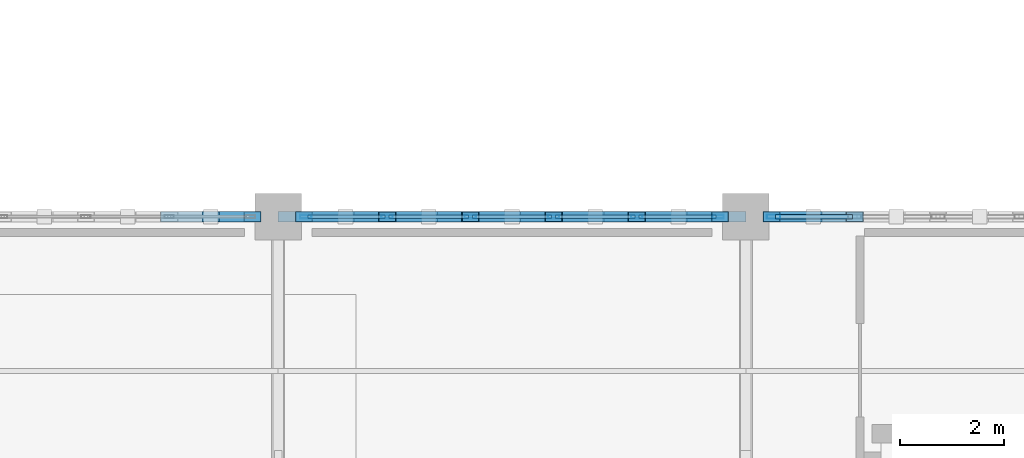
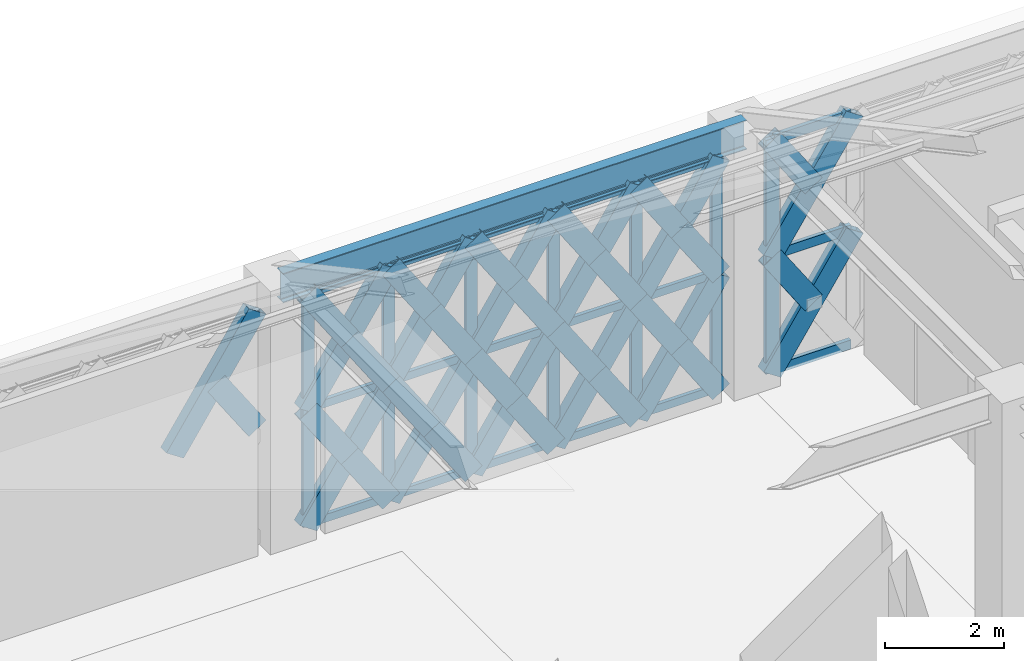
# One storey, part 61 of 166: 61 members, 1 beam, 2 elements without a shape of their own.
"""IFC4 building model written with IfcOpenShell, lengths in metres."""

from ifc_helpers import new_model, si_unit, direction, frame, origin, origin_2d, place, context, subcontext, project, spatial, hollow_rectangle, i_section, extrude, material, material_profile, profile_set, type_object, element, aggregate, save


model = new_model("IFC4")

# Units and contexts
model_context = context("Model", 3, precision=1e-05, world=origin(), true_north=direction((0.0, 1.0)))
body_context = subcontext(model_context, "Body", "Model", "MODEL_VIEW")
ifc_project = project(units=[si_unit("LENGTHUNIT", "METRE"), si_unit("AREAUNIT", "SQUARE_METRE"), si_unit("VOLUMEUNIT", "CUBIC_METRE"), si_unit("PLANEANGLEUNIT", "RADIAN"), si_unit("MASSUNIT", "GRAM", prefix="KILO")], contexts=[model_context])

# Site, building, storey
site_placement = place(None, origin())
site = spatial("IfcSite", under=ifc_project, at=site_placement, CompositionType="ELEMENT")
building_placement = place(site_placement, origin())
building = spatial("IfcBuilding", under=site, at=building_placement, Name="Haizhuo Lancet Aquarium", CompositionType="ELEMENT")
storey_placement = place(building_placement, frame((0.0, 0.0, 5.39990234375)))
storey = spatial("IfcBuildingStorey", under=building, at=storey_placement, Name="L01", CompositionType="ELEMENT", Elevation=5.39990234375)

# Beam
ifc_material_1 = material(Name="Steel S355", Category="steel")
ifc_material_profile_1 = material_profile(ifc_material_1, i_section(OverallWidth=0.199951171875, OverallDepth=0.60009765625, WebThickness=0.010986328125, FlangeThickness=0.01708984375, FilletRadius=0.02197265625, at=origin_2d()), Name="HN 600x200x11x17")
ifc_profile_set_1 = profile_set([ifc_material_profile_1], Name="Steel S355")
beam_type = type_object("IfcBeamType", Name="BM-ST-HN600", PredefinedType="BEAM", material=ifc_profile_set_1)
beam_placement = place(storey_placement, frame((-63.0, 27.0, 5.10009765625), z_axis=(1.0, 0.0, 0.0), x_axis=(0.0, 1.0, 0.0)))
element("IfcBeam", 1, at=beam_placement, inside=storey, type_object=beam_type, Name="L01 V2 primary girder BM-L01-V2-013", PredefinedType="BEAM", context=body_context, shape_type="SweptSolid", body=[
    extrude(i_section(OverallWidth=0.199951171875, OverallDepth=0.60009765625, WebThickness=0.010986328125, FlangeThickness=0.01708984375, FilletRadius=0.02197265625, at=origin_2d()), origin(), (0.0, 0.0, 1.0), 9.0),
])

# Curtain wall, members
ifc_material_2 = material(Name="Aluminium 6063-T6", Category="aluminium")
curtain_wall_type = type_object("IfcCurtainWallType", Name="CWD-8010x4800", PredefinedType="NOTDEFINED", material=ifc_material_2)
curtain_wall_1_placement = place(storey_placement, origin())
curtain_wall_1 = element("IfcCurtainWall", 2, at=curtain_wall_1_placement, inside=storey, type_object=curtain_wall_type, Name="L01 curtain wall CW-V2-L01-023", PredefinedType="NOTDEFINED")
ifc_material_profile_2 = material_profile(ifc_material_2, hollow_rectangle(XDim=0.074951171875, YDim=0.219970703125, WallThickness=0.0048828125, at=origin_2d()), Name="ALU-M 75x220x5")
ifc_profile_set_2 = profile_set([ifc_material_profile_2], Name="Aluminium 6063-T6")
member_type_1 = type_object("IfcMemberType", Name="CW-MUL-2", PredefinedType="MULLION", material=ifc_profile_set_2)
member_1_placement = place(storey_placement, frame((-62.468017578125, 27.0, 0.0), z_axis=(0.0, 0.0, 1.0), x_axis=(0.0, 1.0, 0.0)))
member_1 = element("IfcMember", 3, at=member_1_placement, type_object=member_type_1, Name="CWD-80x48 mullion 1", PredefinedType="MULLION", context=body_context, shape_type="SweptSolid", body=[
    extrude(hollow_rectangle(XDim=0.074951171875, YDim=0.219970703125, WallThickness=0.0048828125, at=origin_2d()), origin(), (0.0, 0.0, 1.0), 4.800048828125),
])
member_2_placement = place(storey_placement, frame((-60.903076171875, 27.0, 0.0), z_axis=(0.0, 0.0, 1.0), x_axis=(0.0, 1.0, 0.0)))
member_2 = element("IfcMember", 4, at=member_2_placement, type_object=member_type_1, Name="CWD-80x48 mullion 2", PredefinedType="MULLION", context=body_context, shape_type="SweptSolid", body=[
    extrude(hollow_rectangle(XDim=0.074951171875, YDim=0.219970703125, WallThickness=0.0048828125, at=origin_2d()), origin(), (0.0, 0.0, 1.0), 4.800048828125),
])
member_3_placement = place(storey_placement, frame((-59.301025390625, 27.0, 0.0), z_axis=(0.0, 0.0, 1.0), x_axis=(0.0, 1.0, 0.0)))
member_3 = element("IfcMember", 5, at=member_3_placement, type_object=member_type_1, Name="CWD-80x48 mullion 3", PredefinedType="MULLION", context=body_context, shape_type="SweptSolid", body=[
    extrude(hollow_rectangle(XDim=0.074951171875, YDim=0.219970703125, WallThickness=0.0048828125, at=origin_2d()), origin(), (0.0, 0.0, 1.0), 4.800048828125),
])
member_4_placement = place(storey_placement, frame((-57.698974609375, 27.0, 0.0), z_axis=(0.0, 0.0, 1.0), x_axis=(0.0, 1.0, 0.0)))
member_4 = element("IfcMember", 6, at=member_4_placement, type_object=member_type_1, Name="CWD-80x48 mullion 4", PredefinedType="MULLION", context=body_context, shape_type="SweptSolid", body=[
    extrude(hollow_rectangle(XDim=0.074951171875, YDim=0.219970703125, WallThickness=0.0048828125, at=origin_2d()), origin(), (0.0, 0.0, 1.0), 4.800048828125),
])
member_5_placement = place(storey_placement, frame((-56.096923828125, 27.0, 0.0), z_axis=(0.0, 0.0, 1.0), x_axis=(0.0, 1.0, 0.0)))
member_5 = element("IfcMember", 7, at=member_5_placement, type_object=member_type_1, Name="CWD-80x48 mullion 5", PredefinedType="MULLION", context=body_context, shape_type="SweptSolid", body=[
    extrude(hollow_rectangle(XDim=0.074951171875, YDim=0.219970703125, WallThickness=0.0048828125, at=origin_2d()), origin(), (0.0, 0.0, 1.0), 4.800048828125),
])
member_6_placement = place(storey_placement, frame((-54.531982421875, 27.0, 0.0), z_axis=(0.0, 0.0, 1.0), x_axis=(0.0, 1.0, 0.0)))
member_6 = element("IfcMember", 8, at=member_6_placement, type_object=member_type_1, Name="CWD-80x48 mullion 6", PredefinedType="MULLION", context=body_context, shape_type="SweptSolid", body=[
    extrude(hollow_rectangle(XDim=0.074951171875, YDim=0.219970703125, WallThickness=0.0048828125, at=origin_2d()), origin(), (0.0, 0.0, 1.0), 4.800048828125),
])

# Curtain wall, member
curtain_wall_2_placement = place(storey_placement, origin())
curtain_wall_2 = element("IfcCurtainWall", 9, at=curtain_wall_2_placement, inside=storey, type_object=curtain_wall_type, Name="L01 curtain wall CW-V2-L01-024", PredefinedType="NOTDEFINED")
ifc_material_profile_3 = material_profile(ifc_material_2, hollow_rectangle(XDim=0.080078125, YDim=0.260009765625, WallThickness=0.0048828125, at=origin_2d()), Name="ALU-M 80x260x5")
ifc_profile_set_3 = profile_set([ifc_material_profile_3], Name="Aluminium 6063-T6")
member_type_2 = type_object("IfcMemberType", Name="CW-MUL-3", PredefinedType="MULLION", material=ifc_profile_set_3)
member_7_placement = place(storey_placement, frame((-53.465087890625, 27.0, 0.0), z_axis=(0.0, 0.0, 1.0), x_axis=(0.0, 1.0, 0.0)))
member_7 = element("IfcMember", 10, at=member_7_placement, type_object=member_type_2, Name="CWD-80x48 mullion 1", PredefinedType="MULLION", context=body_context, shape_type="SweptSolid", body=[
    extrude(hollow_rectangle(XDim=0.080078125, YDim=0.260009765625, WallThickness=0.0048828125, at=origin_2d()), origin(), (0.0, 0.0, 1.0), 4.800048828125),
])

# Member
ifc_material_profile_4 = material_profile(ifc_material_2, hollow_rectangle(XDim=0.074951171875, YDim=0.159912109375, WallThickness=0.00390625, at=origin_2d()), Name="ALU-T 75x160x4")
ifc_profile_set_4 = profile_set([ifc_material_profile_4], Name="Aluminium 6063-T6")
member_type_3 = type_object("IfcMemberType", Name="CW-TRN-2", PredefinedType="NOTDEFINED", material=ifc_profile_set_4)
member_8_placement = place(storey_placement, frame((-62.429931640625, 27.0, 0.0380859375), z_axis=(1.0, 0.0, 0.0), x_axis=(0.0, 1.0, 0.0)))
member_8 = element("IfcMember", 11, at=member_8_placement, type_object=member_type_3, Name="CWD-80x48 transom 1.1", ObjectType="TRANSOM", PredefinedType="USERDEFINED", context=body_context, shape_type="SweptSolid", body=[
    extrude(hollow_rectangle(XDim=0.074951171875, YDim=0.159912109375, WallThickness=0.00390625, at=origin_2d()), origin(), (0.0, 0.0, 1.0), 1.489013671875),
])

member_9_placement = place(storey_placement, frame((-62.429931640625, 27.0, 2.400146484375), z_axis=(1.0, 0.0, 0.0), x_axis=(0.0, 1.0, 0.0)))
member_9 = element("IfcMember", 12, at=member_9_placement, type_object=member_type_3, Name="CWD-80x48 transom 1.2", ObjectType="TRANSOM", PredefinedType="USERDEFINED", context=body_context, shape_type="SweptSolid", body=[
    extrude(hollow_rectangle(XDim=0.074951171875, YDim=0.159912109375, WallThickness=0.00390625, at=origin_2d()), origin(), (0.0, 0.0, 1.0), 1.489013671875),
])

member_10_placement = place(storey_placement, frame((-62.429931640625, 27.0, 4.76220703125), z_axis=(1.0, 0.0, 0.0), x_axis=(0.0, 1.0, 0.0)))
member_10 = element("IfcMember", 13, at=member_10_placement, type_object=member_type_3, Name="CWD-80x48 transom 1.3", ObjectType="TRANSOM", PredefinedType="USERDEFINED", context=body_context, shape_type="SweptSolid", body=[
    extrude(hollow_rectangle(XDim=0.074951171875, YDim=0.159912109375, WallThickness=0.00390625, at=origin_2d()), origin(), (0.0, 0.0, 1.0), 1.489013671875),
])

member_11_placement = place(storey_placement, frame((-60.865966796875, 27.0, 0.0380859375), z_axis=(1.0, 0.0, 0.0), x_axis=(0.0, 1.0, 0.0)))
member_11 = element("IfcMember", 14, at=member_11_placement, type_object=member_type_3, Name="CWD-80x48 transom 2.1", ObjectType="TRANSOM", PredefinedType="USERDEFINED", context=body_context, shape_type="SweptSolid", body=[
    extrude(hollow_rectangle(XDim=0.074951171875, YDim=0.159912109375, WallThickness=0.00390625, at=origin_2d()), origin(), (0.0, 0.0, 1.0), 1.52685546875),
])

member_12_placement = place(storey_placement, frame((-60.865966796875, 27.0, 2.400146484375), z_axis=(1.0, 0.0, 0.0), x_axis=(0.0, 1.0, 0.0)))
member_12 = element("IfcMember", 15, at=member_12_placement, type_object=member_type_3, Name="CWD-80x48 transom 2.2", ObjectType="TRANSOM", PredefinedType="USERDEFINED", context=body_context, shape_type="SweptSolid", body=[
    extrude(hollow_rectangle(XDim=0.074951171875, YDim=0.159912109375, WallThickness=0.00390625, at=origin_2d()), origin(), (0.0, 0.0, 1.0), 1.52685546875),
])

member_13_placement = place(storey_placement, frame((-60.865966796875, 27.0, 4.76220703125), z_axis=(1.0, 0.0, 0.0), x_axis=(0.0, 1.0, 0.0)))
member_13 = element("IfcMember", 16, at=member_13_placement, type_object=member_type_3, Name="CWD-80x48 transom 2.3", ObjectType="TRANSOM", PredefinedType="USERDEFINED", context=body_context, shape_type="SweptSolid", body=[
    extrude(hollow_rectangle(XDim=0.074951171875, YDim=0.159912109375, WallThickness=0.00390625, at=origin_2d()), origin(), (0.0, 0.0, 1.0), 1.52685546875),
])

member_14_placement = place(storey_placement, frame((-59.263916015625, 27.0, 0.0380859375), z_axis=(1.0, 0.0, 0.0), x_axis=(0.0, 1.0, 0.0)))
member_14 = element("IfcMember", 17, at=member_14_placement, type_object=member_type_3, Name="CWD-80x48 transom 3.1", ObjectType="TRANSOM", PredefinedType="USERDEFINED", context=body_context, shape_type="SweptSolid", body=[
    extrude(hollow_rectangle(XDim=0.074951171875, YDim=0.159912109375, WallThickness=0.00390625, at=origin_2d()), origin(), (0.0, 0.0, 1.0), 1.52783203125),
])

member_15_placement = place(storey_placement, frame((-59.263916015625, 27.0, 2.400146484375), z_axis=(1.0, 0.0, 0.0), x_axis=(0.0, 1.0, 0.0)))
member_15 = element("IfcMember", 18, at=member_15_placement, type_object=member_type_3, Name="CWD-80x48 transom 3.2", ObjectType="TRANSOM", PredefinedType="USERDEFINED", context=body_context, shape_type="SweptSolid", body=[
    extrude(hollow_rectangle(XDim=0.074951171875, YDim=0.159912109375, WallThickness=0.00390625, at=origin_2d()), origin(), (0.0, 0.0, 1.0), 1.52783203125),
])

member_16_placement = place(storey_placement, frame((-59.263916015625, 27.0, 4.76220703125), z_axis=(1.0, 0.0, 0.0), x_axis=(0.0, 1.0, 0.0)))
member_16 = element("IfcMember", 19, at=member_16_placement, type_object=member_type_3, Name="CWD-80x48 transom 3.3", ObjectType="TRANSOM", PredefinedType="USERDEFINED", context=body_context, shape_type="SweptSolid", body=[
    extrude(hollow_rectangle(XDim=0.074951171875, YDim=0.159912109375, WallThickness=0.00390625, at=origin_2d()), origin(), (0.0, 0.0, 1.0), 1.52783203125),
])

member_17_placement = place(storey_placement, frame((-57.662109375, 27.0, 0.0380859375), z_axis=(1.0, 0.0, 0.0), x_axis=(0.0, 1.0, 0.0)))
member_17 = element("IfcMember", 20, at=member_17_placement, type_object=member_type_3, Name="CWD-80x48 transom 4.1", ObjectType="TRANSOM", PredefinedType="USERDEFINED", context=body_context, shape_type="SweptSolid", body=[
    extrude(hollow_rectangle(XDim=0.074951171875, YDim=0.159912109375, WallThickness=0.00390625, at=origin_2d()), origin(), (0.0, 0.0, 1.0), 1.528076171875),
])

member_18_placement = place(storey_placement, frame((-57.662109375, 27.0, 2.400146484375), z_axis=(1.0, 0.0, 0.0), x_axis=(0.0, 1.0, 0.0)))
member_18 = element("IfcMember", 21, at=member_18_placement, type_object=member_type_3, Name="CWD-80x48 transom 4.2", ObjectType="TRANSOM", PredefinedType="USERDEFINED", context=body_context, shape_type="SweptSolid", body=[
    extrude(hollow_rectangle(XDim=0.074951171875, YDim=0.159912109375, WallThickness=0.00390625, at=origin_2d()), origin(), (0.0, 0.0, 1.0), 1.528076171875),
])

member_19_placement = place(storey_placement, frame((-57.662109375, 27.0, 4.76220703125), z_axis=(1.0, 0.0, 0.0), x_axis=(0.0, 1.0, 0.0)))
member_19 = element("IfcMember", 22, at=member_19_placement, type_object=member_type_3, Name="CWD-80x48 transom 4.3", ObjectType="TRANSOM", PredefinedType="USERDEFINED", context=body_context, shape_type="SweptSolid", body=[
    extrude(hollow_rectangle(XDim=0.074951171875, YDim=0.159912109375, WallThickness=0.00390625, at=origin_2d()), origin(), (0.0, 0.0, 1.0), 1.528076171875),
])

member_20_placement = place(storey_placement, frame((-56.05908203125, 27.0, 0.0380859375), z_axis=(1.0, 0.0, 0.0), x_axis=(0.0, 1.0, 0.0)))
member_20 = element("IfcMember", 23, at=member_20_placement, type_object=member_type_3, Name="CWD-80x48 transom 5.1", ObjectType="TRANSOM", PredefinedType="USERDEFINED", context=body_context, shape_type="SweptSolid", body=[
    extrude(hollow_rectangle(XDim=0.074951171875, YDim=0.159912109375, WallThickness=0.00390625, at=origin_2d()), origin(), (0.0, 0.0, 1.0), 1.489013671875),
])

member_21_placement = place(storey_placement, frame((-56.05908203125, 27.0, 2.400146484375), z_axis=(1.0, 0.0, 0.0), x_axis=(0.0, 1.0, 0.0)))
member_21 = element("IfcMember", 24, at=member_21_placement, type_object=member_type_3, Name="CWD-80x48 transom 5.2", ObjectType="TRANSOM", PredefinedType="USERDEFINED", context=body_context, shape_type="SweptSolid", body=[
    extrude(hollow_rectangle(XDim=0.074951171875, YDim=0.159912109375, WallThickness=0.00390625, at=origin_2d()), origin(), (0.0, 0.0, 1.0), 1.489013671875),
])

member_22_placement = place(storey_placement, frame((-56.05908203125, 27.0, 4.76220703125), z_axis=(1.0, 0.0, 0.0), x_axis=(0.0, 1.0, 0.0)))
member_22 = element("IfcMember", 25, at=member_22_placement, type_object=member_type_3, Name="CWD-80x48 transom 5.3", ObjectType="TRANSOM", PredefinedType="USERDEFINED", context=body_context, shape_type="SweptSolid", body=[
    extrude(hollow_rectangle(XDim=0.074951171875, YDim=0.159912109375, WallThickness=0.00390625, at=origin_2d()), origin(), (0.0, 0.0, 1.0), 1.489013671875),
])

aggregate(curtain_wall_1, [member_1, member_2, member_3, member_4, member_5, member_6, member_8, member_9, member_10, member_11, member_12, member_13, member_14, member_15, member_16, member_17, member_18, member_19, member_20, member_21, member_22])

ifc_material_profile_5 = material_profile(ifc_material_2, hollow_rectangle(XDim=0.080078125, YDim=0.18994140625, WallThickness=0.0048828125, at=origin_2d()), Name="ALU-T 80x190x5")
ifc_profile_set_5 = profile_set([ifc_material_profile_5], Name="Aluminium 6063-T6")
member_type_4 = type_object("IfcMemberType", Name="CW-TRN-3", PredefinedType="NOTDEFINED", material=ifc_profile_set_5)
member_23_placement = place(storey_placement, frame((-53.425048828125, 27.0, 0.0400390625), z_axis=(1.0, 0.0, 0.0), x_axis=(0.0, 1.0, 0.0)))
member_23 = element("IfcMember", 26, at=member_23_placement, type_object=member_type_4, Name="CWD-80x48 transom 1.1", ObjectType="TRANSOM", PredefinedType="USERDEFINED", context=body_context, shape_type="SweptSolid", body=[
    extrude(hollow_rectangle(XDim=0.080078125, YDim=0.18994140625, WallThickness=0.0048828125, at=origin_2d()), origin(), (0.0, 0.0, 1.0), 1.48193359375),
])

member_24_placement = place(storey_placement, frame((-53.425048828125, 27.0, 2.400146484375), z_axis=(1.0, 0.0, 0.0), x_axis=(0.0, 1.0, 0.0)))
member_24 = element("IfcMember", 27, at=member_24_placement, type_object=member_type_4, Name="CWD-80x48 transom 1.2", ObjectType="TRANSOM", PredefinedType="USERDEFINED", context=body_context, shape_type="SweptSolid", body=[
    extrude(hollow_rectangle(XDim=0.080078125, YDim=0.18994140625, WallThickness=0.0048828125, at=origin_2d()), origin(), (0.0, 0.0, 1.0), 1.48193359375),
])

member_25_placement = place(storey_placement, frame((-53.425048828125, 27.0, 4.760009765625), z_axis=(1.0, 0.0, 0.0), x_axis=(0.0, 1.0, 0.0)))
member_25 = element("IfcMember", 28, at=member_25_placement, type_object=member_type_4, Name="CWD-80x48 transom 1.3", ObjectType="TRANSOM", PredefinedType="USERDEFINED", context=body_context, shape_type="SweptSolid", body=[
    extrude(hollow_rectangle(XDim=0.080078125, YDim=0.18994140625, WallThickness=0.0048828125, at=origin_2d()), origin(), (0.0, 0.0, 1.0), 1.48193359375),
])

aggregate(curtain_wall_2, [member_7, member_23, member_24, member_25])

# Members
ifc_material_profile_6 = material_profile(ifc_material_1, hollow_rectangle(XDim=0.199951171875, YDim=0.39990234375, WallThickness=0.011962890625, at=origin_2d()), Name="RHS 200x400x12")
ifc_profile_set_6 = profile_set([ifc_material_profile_6], Name="Steel S355")
member_type_5 = type_object("IfcMemberType", Name="MEM-LB-RHS200x400", PredefinedType="BRACE", material=ifc_profile_set_6)
member_26_placement = place(storey_placement, frame((-65.096923828125, 27.0, 2.400146484375), z_axis=(0.555149217883, 0.0, 0.831750771496), x_axis=(0.0, 1.0, 0.0)))
element("IfcMember", 29, at=member_26_placement, inside=storey, type_object=member_type_5, Name="Gothic lancet continuous diagonal brace CW-V2-L01-022 10A", PredefinedType="BRACE", context=body_context, shape_type="SweptSolid", body=[
    extrude(hollow_rectangle(XDim=0.199951171875, YDim=0.39990234375, WallThickness=0.011962890625, at=origin_2d()), origin(), (0.0, 0.0, 1.0), 2.88525390625),
])
member_27_placement = place(storey_placement, frame((-63.4951171875, 27.0, 2.400146484375), z_axis=(-0.555090677343, 0.0, 0.831789841202), x_axis=(0.0, -1.0, 0.0)))
element("IfcMember", 30, at=member_27_placement, inside=storey, type_object=member_type_5, Name="Gothic lancet split diagonal brace CW-V2-L01-022 10B1", PredefinedType="BRACE", context=body_context, shape_type="SweptSolid", body=[
    extrude(hollow_rectangle(XDim=0.199951171875, YDim=0.39990234375, WallThickness=0.011962890625, at=origin_2d()), origin(), (0.0, 0.0, 1.0), 1.442626953125),
])
member_28_placement = place(storey_placement, frame((-62.5048828125, 27.0, 0.0), z_axis=(0.555110150089, 0.0, 0.831776845835), x_axis=(0.0, 1.0, 0.0)))
element("IfcMember", 31, at=member_28_placement, inside=storey, type_object=member_type_5, Name="Gothic lancet continuous diagonal brace CW-V2-L01-023 1A", PredefinedType="BRACE", context=body_context, shape_type="SweptSolid", body=[
    extrude(hollow_rectangle(XDim=0.199951171875, YDim=0.39990234375, WallThickness=0.011962890625, at=origin_2d()), origin(), (0.0, 0.0, 1.0), 2.885498046875),
])
member_29_placement = place(storey_placement, frame((-60.903076171875, 27.0, 0.0), z_axis=(-0.555129617962, 0.0, 0.831763853063), x_axis=(0.0, -1.0, 0.0)))
element("IfcMember", 32, at=member_29_placement, inside=storey, type_object=member_type_5, Name="Gothic lancet split diagonal brace CW-V2-L01-023 1B1", PredefinedType="BRACE", context=body_context, shape_type="SweptSolid", body=[
    extrude(hollow_rectangle(XDim=0.199951171875, YDim=0.39990234375, WallThickness=0.011962890625, at=origin_2d()), origin(), (0.0, 0.0, 1.0), 1.44287109375),
])
member_30_placement = place(storey_placement, frame((-61.7041015625, 27.0, 1.2001953125), z_axis=(-0.555090677343, 0.0, 0.831789841202), x_axis=(0.0, -1.0, 0.0)))
element("IfcMember", 33, at=member_30_placement, inside=storey, type_object=member_type_5, Name="Gothic lancet split diagonal brace CW-V2-L01-023 1B2", PredefinedType="BRACE", context=body_context, shape_type="SweptSolid", body=[
    extrude(hollow_rectangle(XDim=0.199951171875, YDim=0.39990234375, WallThickness=0.011962890625, at=origin_2d()), origin(), (0.0, 0.0, 1.0), 1.442626953125),
])
member_31_placement = place(storey_placement, frame((-62.5048828125, 27.0, 2.400146484375), z_axis=(0.555149217883, 0.0, 0.831750771496), x_axis=(0.0, 1.0, 0.0)))
element("IfcMember", 34, at=member_31_placement, inside=storey, type_object=member_type_5, Name="Gothic lancet continuous diagonal brace CW-V2-L01-023 2A", PredefinedType="BRACE", context=body_context, shape_type="SweptSolid", body=[
    extrude(hollow_rectangle(XDim=0.199951171875, YDim=0.39990234375, WallThickness=0.011962890625, at=origin_2d()), origin(), (0.0, 0.0, 1.0), 2.88525390625),
])
for number, where, z_axis, x_axis, name in (
    (35, (-60.903076171875, 27.0, 2.400146484375), (-0.555207750173, 0.0, 0.831711701341), (0.0, -1.0, 0.0), "Gothic lancet split diagonal brace CW-V2-L01-023 2B1"),
    (36, (-61.7041015625, 27.0, 3.60009765625), (-0.555090677343, 0.0, 0.831789841202), (0.0, -1.0, 0.0), "Gothic lancet split diagonal brace CW-V2-L01-023 2B2"),
):
    element("IfcMember", number, at=place(storey_placement, frame(where, z_axis=z_axis, x_axis=x_axis)), inside=storey, type_object=member_type_5, Name=name, PredefinedType="BRACE", context=body_context, shape_type="SweptSolid", body=[
        extrude(hollow_rectangle(XDim=0.199951171875, YDim=0.39990234375, WallThickness=0.011962890625, at=origin_2d()), origin(), (0.0, 0.0, 1.0), 1.442626953125),
    ])
member_32_placement = place(storey_placement, frame((-60.903076171875, 27.0, 0.0), z_axis=(0.555168681931, 0.0, 0.831737779954), x_axis=(0.0, 1.0, 0.0)))
element("IfcMember", 37, at=member_32_placement, inside=storey, type_object=member_type_5, Name="Gothic lancet continuous diagonal brace CW-V2-L01-023 3A", PredefinedType="BRACE", context=body_context, shape_type="SweptSolid", body=[
    extrude(hollow_rectangle(XDim=0.199951171875, YDim=0.39990234375, WallThickness=0.011962890625, at=origin_2d()), origin(), (0.0, 0.0, 1.0), 2.8857421875),
])
member_33_placement = place(storey_placement, frame((-59.301025390625, 27.0, 0.0), z_axis=(-0.555129617962, 0.0, 0.831763853063), x_axis=(0.0, -1.0, 0.0)))
element("IfcMember", 38, at=member_33_placement, inside=storey, type_object=member_type_5, Name="Gothic lancet split diagonal brace CW-V2-L01-023 3B1", PredefinedType="BRACE", context=body_context, shape_type="SweptSolid", body=[
    extrude(hollow_rectangle(XDim=0.199951171875, YDim=0.39990234375, WallThickness=0.011962890625, at=origin_2d()), origin(), (0.0, 0.0, 1.0), 1.44287109375),
])
member_34_placement = place(storey_placement, frame((-60.10205078125, 27.0, 1.2001953125), z_axis=(-0.555207750173, 0.0, 0.831711701341), x_axis=(0.0, -1.0, 0.0)))
element("IfcMember", 39, at=member_34_placement, inside=storey, type_object=member_type_5, Name="Gothic lancet split diagonal brace CW-V2-L01-023 3B2", PredefinedType="BRACE", context=body_context, shape_type="SweptSolid", body=[
    extrude(hollow_rectangle(XDim=0.199951171875, YDim=0.39990234375, WallThickness=0.011962890625, at=origin_2d()), origin(), (0.0, 0.0, 1.0), 1.442626953125),
])
member_35_placement = place(storey_placement, frame((-60.903076171875, 27.0, 2.400146484375), z_axis=(0.555207750173, 0.0, 0.831711701341), x_axis=(0.0, 1.0, 0.0)))
element("IfcMember", 40, at=member_35_placement, inside=storey, type_object=member_type_5, Name="Gothic lancet continuous diagonal brace CW-V2-L01-023 4A", PredefinedType="BRACE", context=body_context, shape_type="SweptSolid", body=[
    extrude(hollow_rectangle(XDim=0.199951171875, YDim=0.39990234375, WallThickness=0.011962890625, at=origin_2d()), origin(), (0.0, 0.0, 1.0), 2.885498046875),
])
for number, where, z_axis, x_axis, name in (
    (41, (-59.301025390625, 27.0, 2.400146484375), (-0.555207750173, 0.0, 0.831711701341), (0.0, -1.0, 0.0), "Gothic lancet split diagonal brace CW-V2-L01-023 4B1"),
    (42, (-60.10205078125, 27.0, 3.60009765625), (-0.555207750173, 0.0, 0.831711701341), (0.0, -1.0, 0.0), "Gothic lancet split diagonal brace CW-V2-L01-023 4B2"),
):
    element("IfcMember", number, at=place(storey_placement, frame(where, z_axis=z_axis, x_axis=x_axis)), inside=storey, type_object=member_type_5, Name=name, PredefinedType="BRACE", context=body_context, shape_type="SweptSolid", body=[
        extrude(hollow_rectangle(XDim=0.199951171875, YDim=0.39990234375, WallThickness=0.011962890625, at=origin_2d()), origin(), (0.0, 0.0, 1.0), 1.442626953125),
    ])
member_36_placement = place(storey_placement, frame((-59.301025390625, 27.0, 0.0), z_axis=(0.555168681931, 0.0, 0.831737779954), x_axis=(0.0, 1.0, 0.0)))
element("IfcMember", 43, at=member_36_placement, inside=storey, type_object=member_type_5, Name="Gothic lancet continuous diagonal brace CW-V2-L01-023 5A", PredefinedType="BRACE", context=body_context, shape_type="SweptSolid", body=[
    extrude(hollow_rectangle(XDim=0.199951171875, YDim=0.39990234375, WallThickness=0.011962890625, at=origin_2d()), origin(), (0.0, 0.0, 1.0), 2.8857421875),
])
member_37_placement = place(storey_placement, frame((-57.698974609375, 27.0, 0.0), z_axis=(-0.555129617962, 0.0, 0.831763853063), x_axis=(0.0, -1.0, 0.0)))
element("IfcMember", 44, at=member_37_placement, inside=storey, type_object=member_type_5, Name="Gothic lancet split diagonal brace CW-V2-L01-023 5B1", PredefinedType="BRACE", context=body_context, shape_type="SweptSolid", body=[
    extrude(hollow_rectangle(XDim=0.199951171875, YDim=0.39990234375, WallThickness=0.011962890625, at=origin_2d()), origin(), (0.0, 0.0, 1.0), 1.44287109375),
])
member_38_placement = place(storey_placement, frame((-58.5, 27.0, 1.2001953125), z_axis=(-0.555207750173, 0.0, 0.831711701341), x_axis=(0.0, -1.0, 0.0)))
element("IfcMember", 45, at=member_38_placement, inside=storey, type_object=member_type_5, Name="Gothic lancet split diagonal brace CW-V2-L01-023 5B2", PredefinedType="BRACE", context=body_context, shape_type="SweptSolid", body=[
    extrude(hollow_rectangle(XDim=0.199951171875, YDim=0.39990234375, WallThickness=0.011962890625, at=origin_2d()), origin(), (0.0, 0.0, 1.0), 1.442626953125),
])
member_39_placement = place(storey_placement, frame((-59.301025390625, 27.0, 2.400146484375), z_axis=(0.555207750173, 0.0, 0.831711701341), x_axis=(0.0, 1.0, 0.0)))
element("IfcMember", 46, at=member_39_placement, inside=storey, type_object=member_type_5, Name="Gothic lancet continuous diagonal brace CW-V2-L01-023 6A", PredefinedType="BRACE", context=body_context, shape_type="SweptSolid", body=[
    extrude(hollow_rectangle(XDim=0.199951171875, YDim=0.39990234375, WallThickness=0.011962890625, at=origin_2d()), origin(), (0.0, 0.0, 1.0), 2.885498046875),
])
for number, where, z_axis, x_axis, name in (
    (47, (-57.698974609375, 27.0, 2.400146484375), (-0.555207750173, 0.0, 0.831711701341), (0.0, -1.0, 0.0), "Gothic lancet split diagonal brace CW-V2-L01-023 6B1"),
    (48, (-58.5, 27.0, 3.60009765625), (-0.555207750173, 0.0, 0.831711701341), (0.0, -1.0, 0.0), "Gothic lancet split diagonal brace CW-V2-L01-023 6B2"),
):
    element("IfcMember", number, at=place(storey_placement, frame(where, z_axis=z_axis, x_axis=x_axis)), inside=storey, type_object=member_type_5, Name=name, PredefinedType="BRACE", context=body_context, shape_type="SweptSolid", body=[
        extrude(hollow_rectangle(XDim=0.199951171875, YDim=0.39990234375, WallThickness=0.011962890625, at=origin_2d()), origin(), (0.0, 0.0, 1.0), 1.442626953125),
    ])
member_40_placement = place(storey_placement, frame((-57.698974609375, 27.0, 0.0), z_axis=(0.555168681931, 0.0, 0.831737779954), x_axis=(0.0, 1.0, 0.0)))
element("IfcMember", 49, at=member_40_placement, inside=storey, type_object=member_type_5, Name="Gothic lancet continuous diagonal brace CW-V2-L01-023 7A", PredefinedType="BRACE", context=body_context, shape_type="SweptSolid", body=[
    extrude(hollow_rectangle(XDim=0.199951171875, YDim=0.39990234375, WallThickness=0.011962890625, at=origin_2d()), origin(), (0.0, 0.0, 1.0), 2.8857421875),
])
member_41_placement = place(storey_placement, frame((-56.096923828125, 27.0, 0.0), z_axis=(-0.555129617962, 0.0, 0.831763853063), x_axis=(0.0, -1.0, 0.0)))
element("IfcMember", 50, at=member_41_placement, inside=storey, type_object=member_type_5, Name="Gothic lancet split diagonal brace CW-V2-L01-023 7B1", PredefinedType="BRACE", context=body_context, shape_type="SweptSolid", body=[
    extrude(hollow_rectangle(XDim=0.199951171875, YDim=0.39990234375, WallThickness=0.011962890625, at=origin_2d()), origin(), (0.0, 0.0, 1.0), 1.44287109375),
])
member_42_placement = place(storey_placement, frame((-56.89794921875, 27.0, 1.2001953125), z_axis=(-0.555207750173, 0.0, 0.831711701341), x_axis=(0.0, -1.0, 0.0)))
element("IfcMember", 51, at=member_42_placement, inside=storey, type_object=member_type_5, Name="Gothic lancet split diagonal brace CW-V2-L01-023 7B2", PredefinedType="BRACE", context=body_context, shape_type="SweptSolid", body=[
    extrude(hollow_rectangle(XDim=0.199951171875, YDim=0.39990234375, WallThickness=0.011962890625, at=origin_2d()), origin(), (0.0, 0.0, 1.0), 1.442626953125),
])
member_43_placement = place(storey_placement, frame((-57.698974609375, 27.0, 2.400146484375), z_axis=(0.555207750173, 0.0, 0.831711701341), x_axis=(0.0, 1.0, 0.0)))
element("IfcMember", 52, at=member_43_placement, inside=storey, type_object=member_type_5, Name="Gothic lancet continuous diagonal brace CW-V2-L01-023 8A", PredefinedType="BRACE", context=body_context, shape_type="SweptSolid", body=[
    extrude(hollow_rectangle(XDim=0.199951171875, YDim=0.39990234375, WallThickness=0.011962890625, at=origin_2d()), origin(), (0.0, 0.0, 1.0), 2.885498046875),
])
for number, where, z_axis, x_axis, name in (
    (53, (-56.096923828125, 27.0, 2.400146484375), (-0.555207750173, 0.0, 0.831711701341), (0.0, -1.0, 0.0), "Gothic lancet split diagonal brace CW-V2-L01-023 8B1"),
    (54, (-56.89794921875, 27.0, 3.60009765625), (-0.555207750173, 0.0, 0.831711701341), (0.0, -1.0, 0.0), "Gothic lancet split diagonal brace CW-V2-L01-023 8B2"),
):
    element("IfcMember", number, at=place(storey_placement, frame(where, z_axis=z_axis, x_axis=x_axis)), inside=storey, type_object=member_type_5, Name=name, PredefinedType="BRACE", context=body_context, shape_type="SweptSolid", body=[
        extrude(hollow_rectangle(XDim=0.199951171875, YDim=0.39990234375, WallThickness=0.011962890625, at=origin_2d()), origin(), (0.0, 0.0, 1.0), 1.442626953125),
    ])
member_44_placement = place(storey_placement, frame((-56.096923828125, 27.0, 0.0), z_axis=(0.555110150089, 0.0, 0.831776845835), x_axis=(0.0, 1.0, 0.0)))
element("IfcMember", 55, at=member_44_placement, inside=storey, type_object=member_type_5, Name="Gothic lancet continuous diagonal brace CW-V2-L01-023 9A", PredefinedType="BRACE", context=body_context, shape_type="SweptSolid", body=[
    extrude(hollow_rectangle(XDim=0.199951171875, YDim=0.39990234375, WallThickness=0.011962890625, at=origin_2d()), origin(), (0.0, 0.0, 1.0), 2.885498046875),
])
member_45_placement = place(storey_placement, frame((-54.4951171875, 27.0, 0.0), z_axis=(-0.555012546931, 0.0, 0.831841975828), x_axis=(0.0, -1.0, 0.0)))
element("IfcMember", 56, at=member_45_placement, inside=storey, type_object=member_type_5, Name="Gothic lancet split diagonal brace CW-V2-L01-023 9B1", PredefinedType="BRACE", context=body_context, shape_type="SweptSolid", body=[
    extrude(hollow_rectangle(XDim=0.199951171875, YDim=0.39990234375, WallThickness=0.011962890625, at=origin_2d()), origin(), (0.0, 0.0, 1.0), 1.44287109375),
])
member_46_placement = place(storey_placement, frame((-55.2958984375, 27.0, 1.2001953125), z_axis=(-0.555207750173, 0.0, 0.831711701341), x_axis=(0.0, -1.0, 0.0)))
element("IfcMember", 57, at=member_46_placement, inside=storey, type_object=member_type_5, Name="Gothic lancet split diagonal brace CW-V2-L01-023 9B2", PredefinedType="BRACE", context=body_context, shape_type="SweptSolid", body=[
    extrude(hollow_rectangle(XDim=0.199951171875, YDim=0.39990234375, WallThickness=0.011962890625, at=origin_2d()), origin(), (0.0, 0.0, 1.0), 1.442626953125),
])
member_47_placement = place(storey_placement, frame((-56.096923828125, 27.0, 2.400146484375), z_axis=(0.555149217883, 0.0, 0.831750771496), x_axis=(0.0, 1.0, 0.0)))
element("IfcMember", 58, at=member_47_placement, inside=storey, type_object=member_type_5, Name="Gothic lancet continuous diagonal brace CW-V2-L01-023 10A", PredefinedType="BRACE", context=body_context, shape_type="SweptSolid", body=[
    extrude(hollow_rectangle(XDim=0.199951171875, YDim=0.39990234375, WallThickness=0.011962890625, at=origin_2d()), origin(), (0.0, 0.0, 1.0), 2.88525390625),
])
for number, where, z_axis, x_axis, name in (
    (59, (-54.4951171875, 27.0, 2.400146484375), (-0.555090677343, 0.0, 0.831789841202), (0.0, -1.0, 0.0), "Gothic lancet split diagonal brace CW-V2-L01-023 10B1"),
    (60, (-55.2958984375, 27.0, 3.60009765625), (-0.555207750173, 0.0, 0.831711701341), (0.0, -1.0, 0.0), "Gothic lancet split diagonal brace CW-V2-L01-023 10B2"),
):
    element("IfcMember", number, at=place(storey_placement, frame(where, z_axis=z_axis, x_axis=x_axis)), inside=storey, type_object=member_type_5, Name=name, PredefinedType="BRACE", context=body_context, shape_type="SweptSolid", body=[
        extrude(hollow_rectangle(XDim=0.199951171875, YDim=0.39990234375, WallThickness=0.011962890625, at=origin_2d()), origin(), (0.0, 0.0, 1.0), 1.442626953125),
    ])
member_48_placement = place(storey_placement, frame((-53.5048828125, 27.0, 0.0), z_axis=(0.555110150089, 0.0, 0.831776845835), x_axis=(0.0, 1.0, 0.0)))
element("IfcMember", 61, at=member_48_placement, inside=storey, type_object=member_type_5, Name="Gothic lancet continuous diagonal brace CW-V2-L01-024 1A", PredefinedType="BRACE", context=body_context, shape_type="SweptSolid", body=[
    extrude(hollow_rectangle(XDim=0.199951171875, YDim=0.39990234375, WallThickness=0.011962890625, at=origin_2d()), origin(), (0.0, 0.0, 1.0), 2.885498046875),
])
member_49_placement = place(storey_placement, frame((-52.7041015625, 27.0, 1.2001953125), z_axis=(-0.555090677343, 0.0, 0.831789841202), x_axis=(0.0, -1.0, 0.0)))
element("IfcMember", 62, at=member_49_placement, inside=storey, type_object=member_type_5, Name="Gothic lancet split diagonal brace CW-V2-L01-024 1B2", PredefinedType="BRACE", context=body_context, shape_type="SweptSolid", body=[
    extrude(hollow_rectangle(XDim=0.199951171875, YDim=0.39990234375, WallThickness=0.011962890625, at=origin_2d()), origin(), (0.0, 0.0, 1.0), 1.442626953125),
])
member_50_placement = place(storey_placement, frame((-53.5048828125, 27.0, 2.400146484375), z_axis=(0.555149217883, 0.0, 0.831750771496), x_axis=(0.0, 1.0, 0.0)))
element("IfcMember", 63, at=member_50_placement, inside=storey, type_object=member_type_5, Name="Gothic lancet continuous diagonal brace CW-V2-L01-024 2A", PredefinedType="BRACE", context=body_context, shape_type="SweptSolid", body=[
    extrude(hollow_rectangle(XDim=0.199951171875, YDim=0.39990234375, WallThickness=0.011962890625, at=origin_2d()), origin(), (0.0, 0.0, 1.0), 2.88525390625),
])
member_51_placement = place(storey_placement, frame((-52.7041015625, 27.0, 3.60009765625), z_axis=(-0.555090677343, 0.0, 0.831789841202), x_axis=(0.0, -1.0, 0.0)))
element("IfcMember", 64, at=member_51_placement, inside=storey, type_object=member_type_5, Name="Gothic lancet split diagonal brace CW-V2-L01-024 2B2", PredefinedType="BRACE", context=body_context, shape_type="SweptSolid", body=[
    extrude(hollow_rectangle(XDim=0.199951171875, YDim=0.39990234375, WallThickness=0.011962890625, at=origin_2d()), origin(), (0.0, 0.0, 1.0), 1.442626953125),
])

save(model, "model.ifc")
